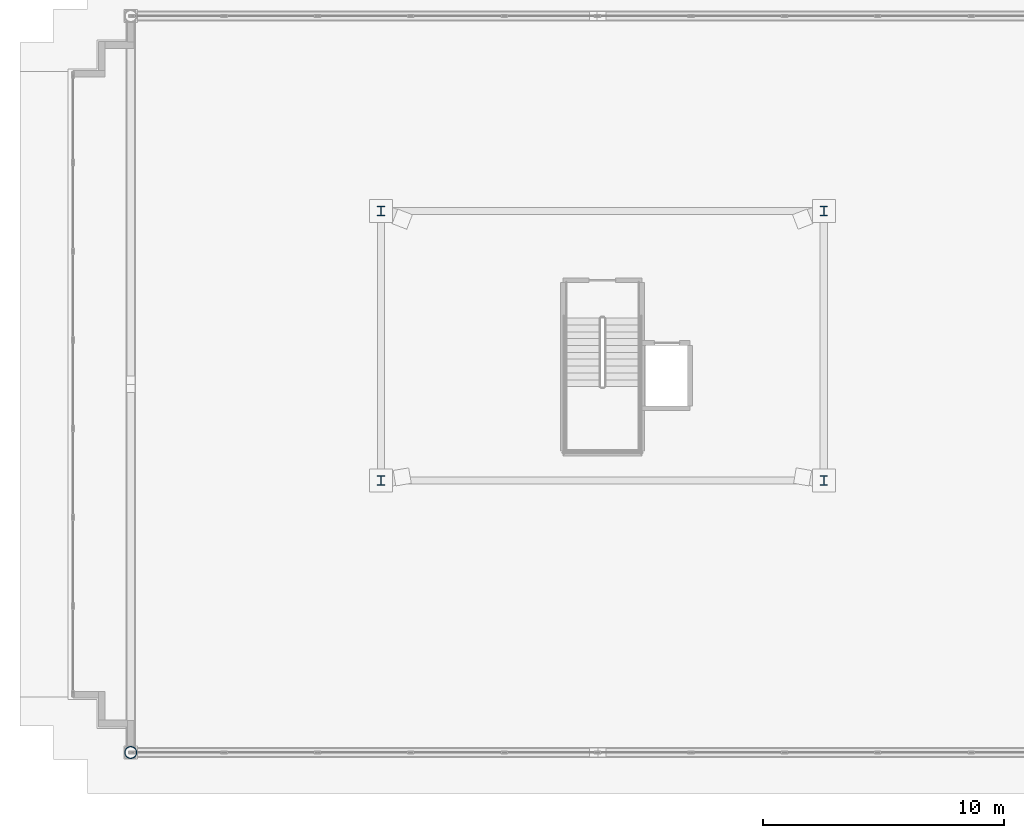
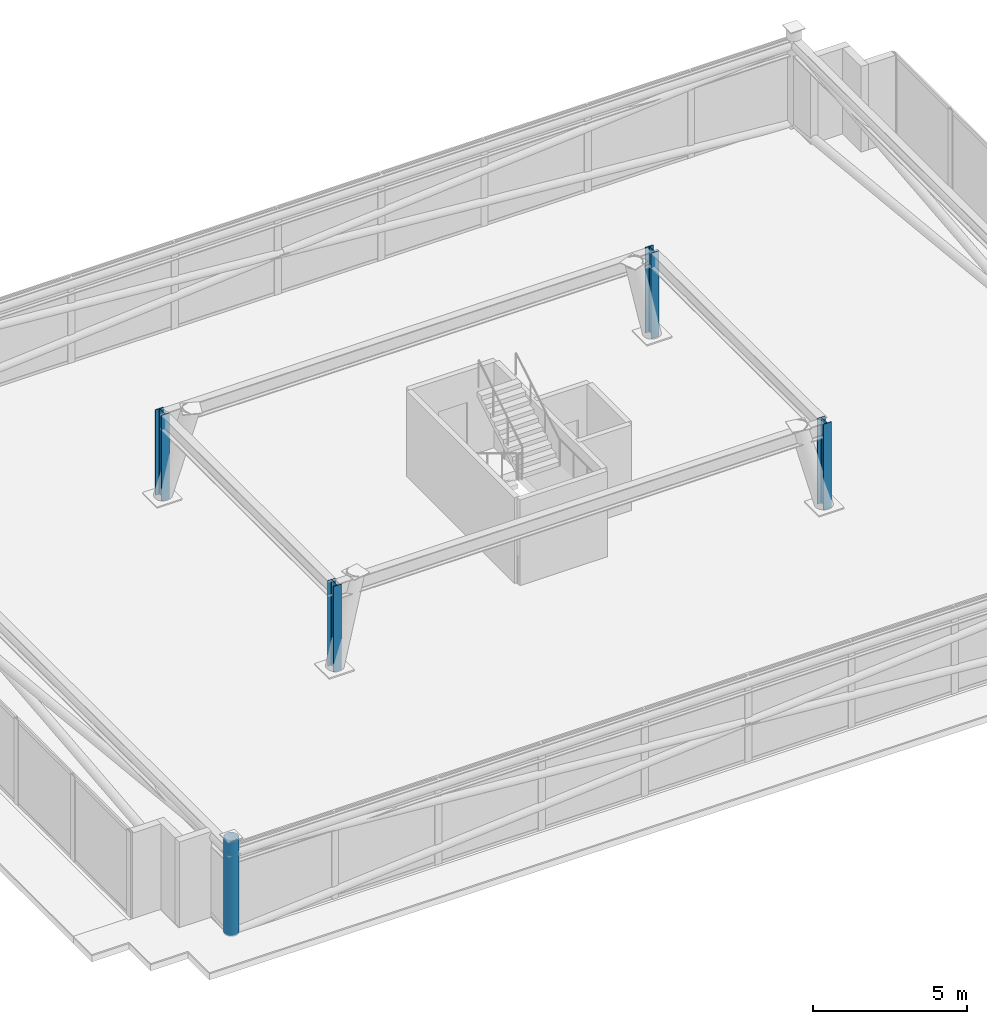
# One storey, part 1 of 23: 4 columns, 1 member.
"""IFC4 building model written with IfcOpenShell, lengths in metres."""

from ifc_helpers import new_model, si_unit, direction, frame, origin, origin_2d, place, context, subcontext, project, spatial, hollow_circle, i_section, extrude, material, material_profile, profile_set, type_object, element, save


model = new_model("IFC4")

# Units and contexts
model_context = context("Model", 3, precision=1e-05, world=origin(), true_north=direction((0.0, 1.0)))
body_context = subcontext(model_context, "Body", "Model", "MODEL_VIEW")
ifc_project = project(units=[si_unit("LENGTHUNIT", "METRE"), si_unit("AREAUNIT", "SQUARE_METRE"), si_unit("VOLUMEUNIT", "CUBIC_METRE"), si_unit("PLANEANGLEUNIT", "RADIAN"), si_unit("MASSUNIT", "GRAM", prefix="KILO")], contexts=[model_context])

# Site, building, storey
site_placement = place(None, origin())
site = spatial("IfcSite", under=ifc_project, at=site_placement, CompositionType="ELEMENT")
building_placement = place(site_placement, origin())
building = spatial("IfcBuilding", under=site, at=building_placement, Name="Qobustan Lattice House", CompositionType="ELEMENT")
storey_placement = place(building_placement, frame((0.0, 0.0, 270.199951171875)))
storey = spatial("IfcBuildingStorey", under=building, at=storey_placement, Name="L76", CompositionType="ELEMENT", Elevation=270.199951171875)

# Columns
ifc_material_1 = material(Name="Steel S355", Category="steel")
ifc_material_profile_1 = material_profile(ifc_material_1, i_section(OverallWidth=0.300048828125, OverallDepth=0.39990234375, WebThickness=0.013427734375, FlangeThickness=0.02392578125, FilletRadius=0.027099609375, at=origin_2d()), Name="HEB400")
ifc_profile_set_1 = profile_set([ifc_material_profile_1], Name="Steel S355")
column_type = type_object("IfcColumnType", Name="COL-ST-HEB400", PredefinedType="COLUMN", material=ifc_profile_set_1)
for number, where, z_axis, x_axis, name in (
    (1, (-9.199951171875, -5.60009765625, 0.0), (0.0, 0.0, 1.0), (1.0, 0.0, 0.0), "L76 crown plumb core column CRN-SW"),
    (2, (9.199951171875, -5.60009765625, 0.0), (0.0, 0.0, 1.0), (1.0, 0.0, 0.0), "L76 crown plumb core column CRN-SE"),
    (3, (9.199951171875, 5.60009765625, 0.0), (0.0, 0.0, 1.0), (1.0, 0.0, 0.0), "L76 crown plumb core column CRN-NE"),
    (4, (-9.199951171875, 5.60009765625, 0.0), (0.0, 0.0, 1.0), (1.0, 0.0, 0.0), "L76 crown plumb core column CRN-NW"),
):
    element("IfcColumn", number, at=place(storey_placement, frame(where, z_axis=z_axis, x_axis=x_axis)), inside=storey, type_object=column_type, Name=name, PredefinedType="COLUMN", context=body_context, shape_type="SweptSolid", body=[
        extrude(i_section(OverallWidth=0.300048828125, OverallDepth=0.39990234375, WebThickness=0.013427734375, FlangeThickness=0.02392578125, FilletRadius=0.027099609375, at=origin_2d()), origin(), (0.0, 0.0, 1.0), 3.400146484375),
    ])

# Member
ifc_material_2 = material(Name="Steel S355", Category="steel")
ifc_material_profile_2 = material_profile(ifc_material_2, hollow_circle(Radius=0.25390625, WallThickness=0.02001953125, at=origin_2d()), Name="CHS508x20")
ifc_profile_set_2 = profile_set([ifc_material_profile_2], Name="Steel S355")
member_type = type_object("IfcMemberType", Name="MEM-STR-CHS508", PredefinedType="STRUT", material=ifc_profile_set_2)
member_placement = place(storey_placement, frame((-19.60009765625, -16.89990234375, 0.0), z_axis=(0.0, 0.0, 1.0), x_axis=(1.0, 0.0, 0.0)))
element("IfcMember", 5, at=member_placement, inside=storey, type_object=member_type, Name="L76 crown corner raking strut 1", PredefinedType="STRUT", context=body_context, shape_type="SweptSolid", body=[
    extrude(hollow_circle(Radius=0.25390625, WallThickness=0.02001953125, at=origin_2d()), origin(), (0.0, 0.0, 1.0), 3.800048828125),
])

save(model, "model.ifc")
